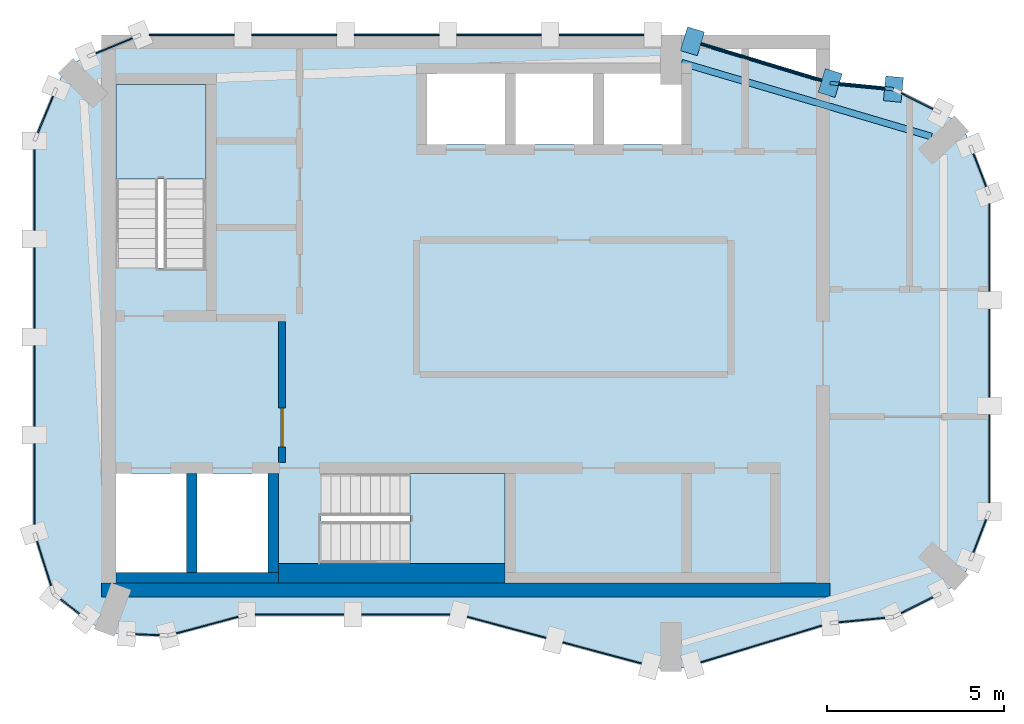
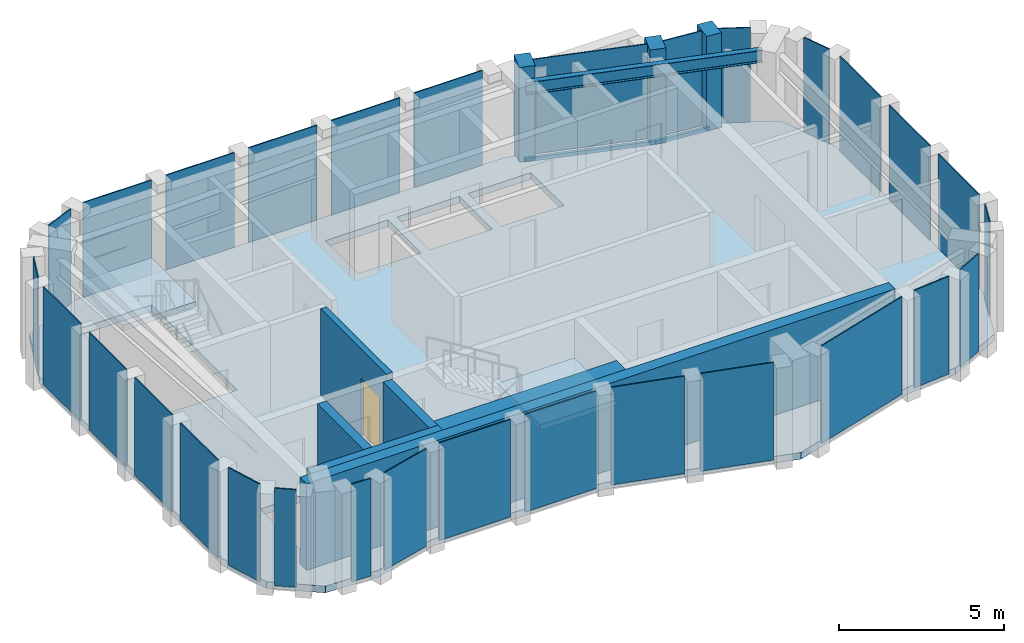
# One storey, part 2 of 5: 30 plates, 6 walls, 5 members, 3 slabs, 1 beam, 1 door, 1 opening, 21 elements without a shape of their own.
"""IFC4 building model written with IfcOpenShell, lengths in metres."""

from ifc_helpers import new_model, si_unit, direction, frame, frame_2d, origin, origin_2d, place, context, subcontext, project, spatial, polyline, rectangle, i_section, outline, extrude, material, layer, layer_set, material_profile, profile_set, type_object, element, fill, aggregate, save


model = new_model("IFC4")

# Units and contexts
model_context = context("Model", 3, precision=1e-05, world=origin(), true_north=direction((0.0, 1.0)))
body_context = subcontext(model_context, "Body", "Model", "MODEL_VIEW")
ifc_project = project(units=[si_unit("LENGTHUNIT", "METRE"), si_unit("AREAUNIT", "SQUARE_METRE"), si_unit("VOLUMEUNIT", "CUBIC_METRE"), si_unit("PLANEANGLEUNIT", "RADIAN"), si_unit("MASSUNIT", "GRAM", prefix="KILO")], contexts=[model_context])

# Site, building, storey
site_placement = place(None, origin())
site = spatial("IfcSite", under=ifc_project, at=site_placement, CompositionType="ELEMENT")
building_placement = place(site_placement, origin())
building = spatial("IfcBuilding", under=site, at=building_placement, Name="Plateau Cross Towers", CompositionType="ELEMENT")
storey_placement = place(building_placement, frame((0.0, 0.0, 308.89990234375)))
storey = spatial("IfcBuildingStorey", under=building, at=storey_placement, Name="L82 Crown 3", CompositionType="ELEMENT", Elevation=308.89990234375)

# Beam
ifc_material_1 = material(Name="Steel S355", Category="steel")
ifc_material_profile_1 = material_profile(ifc_material_1, i_section(OverallWidth=0.18994140625, OverallDepth=0.453369140625, WebThickness=0.008544921875, FlangeThickness=0.0126953125, FilletRadius=0.01025390625, at=origin_2d()), Name="UB 457x191x67")
ifc_profile_set_1 = profile_set([ifc_material_profile_1], Name="Steel S355")
beam_type = type_object("IfcBeamType", Name="Crown ring beam UB 457x191x67", PredefinedType="BEAM", material=ifc_profile_set_1)
beam_placement = place(storey_placement, frame((25.366455078125, 15.122314453125, 2.973388671875), z_axis=(-0.958969404993, 0.283509577064, 0.0), x_axis=(-0.283509577064, -0.958969404993, 0.0)))
element("IfcBeam", 1, at=beam_placement, inside=storey, type_object=beam_type, Name="CRB-L82 Crown 3-03", PredefinedType="BEAM", context=body_context, shape_type="SweptSolid", body=[
    extrude(i_section(OverallWidth=0.18994140625, OverallDepth=0.453369140625, WebThickness=0.008544921875, FlangeThickness=0.0126953125, FilletRadius=0.01025390625, at=origin_2d()), origin(), (0.0, 0.0, 1.0), 7.36865234375),
])

# Curtain wall, member
ifc_material_2 = material(Name="Dark low-iron glass", Category="glass")
ifc_layer_1 = layer(ifc_material_2, 0.800048828125)
ifc_layer_set_1 = layer_set([ifc_layer_1], Name="Dark low-iron glass")
curtain_wall_type = type_object("IfcCurtainWallType", Name="Curtain wall sky lounge CW-D", PredefinedType="NOTDEFINED", material=ifc_layer_set_1)
curtain_wall_1_placement = place(storey_placement, origin())
curtain_wall_1 = element("IfcCurtainWall", 2, at=curtain_wall_1_placement, inside=storey, type_object=curtain_wall_type, Name="ENV/A/L82 Crown 3/A243_165", PredefinedType="NOTDEFINED")
ifc_material_3 = material(Name="Black anodised aluminium", Category="aluminium")
ifc_material_profile_2 = material_profile(ifc_material_3, rectangle(XDim=0.5, YDim=0.699951171875, at=origin_2d()), Name="MULLION 500x700")
ifc_profile_set_2 = profile_set([ifc_material_profile_2], Name="Black anodised aluminium")
member_type_1 = type_object("IfcMemberType", Name="Mullion 500x700 sky lounge", PredefinedType="MULLION", material=ifc_profile_set_2)
member_1_placement = place(storey_placement, frame((24.289794921875, 16.463134765625, -0.25), z_axis=(0.0, 0.0, 1.0), x_axis=(-0.995322680406, 0.096606220658, 0.0)))
member_1 = element("IfcMember", 3, at=member_1_placement, type_object=member_type_1, Name="CW-D mullion 1", PredefinedType="MULLION", context=body_context, shape_type="SweptSolid", body=[
    extrude(rectangle(XDim=0.5, YDim=0.699951171875, at=origin_2d()), origin(), (0.0, 0.0, 1.0), 3.75),
])

# Curtain wall, members
curtain_wall_2_placement = place(storey_placement, origin())
curtain_wall_2 = element("IfcCurtainWall", 4, at=curtain_wall_2_placement, inside=storey, type_object=curtain_wall_type, Name="ENV/A/L82 Crown 3/A225_166", PredefinedType="NOTDEFINED")
member_2_placement = place(storey_placement, frame((22.5, 16.63671875, -0.25), z_axis=(0.0, 0.0, 1.0), x_axis=(-0.957048328724, 0.289928433386, 0.0)))
member_2 = element("IfcMember", 5, at=member_2_placement, type_object=member_type_1, Name="CW-D mullion 1", PredefinedType="MULLION", context=body_context, shape_type="SweptSolid", body=[
    extrude(rectangle(XDim=0.5, YDim=0.699951171875, at=origin_2d()), origin(), (0.0, 0.0, 1.0), 3.75),
])
member_3_placement = place(storey_placement, frame((18.60546875, 17.816650390625, -0.25), z_axis=(0.0, 0.0, 1.0), x_axis=(-0.957048328724, 0.289928433386, 0.0)))
member_3 = element("IfcMember", 6, at=member_3_placement, type_object=member_type_1, Name="CW-D mullion 2", PredefinedType="MULLION", context=body_context, shape_type="SweptSolid", body=[
    extrude(rectangle(XDim=0.5, YDim=0.699951171875, at=origin_2d()), origin(), (0.0, 0.0, 1.0), 3.75),
])

# Member
ifc_material_profile_3 = material_profile(ifc_material_3, rectangle(XDim=0.10009765625, YDim=0.139892578125, at=origin_2d()), Name="TRANSOM 100x140")
ifc_profile_set_3 = profile_set([ifc_material_profile_3], Name="Black anodised aluminium")
member_type_2 = type_object("IfcMemberType", Name="Transom 100x140 sky lounge", PredefinedType="USERDEFINED", material=ifc_profile_set_3)
member_4_placement = place(storey_placement, frame((24.289794921875, 16.463134765625, -0.179931640625), z_axis=(-0.995329836219, 0.096532466724, 0.0), x_axis=(-0.096532466724, -0.995329836219, 0.0)))
member_4 = element("IfcMember", 7, at=member_4_placement, type_object=member_type_2, Name="CW-D transom", ObjectType="TRANSOM", PredefinedType="USERDEFINED", context=body_context, shape_type="SweptSolid", body=[
    extrude(rectangle(XDim=0.10009765625, YDim=0.139892578125, at=origin_2d()), origin(), (0.0, 0.0, 1.0), 1.798095703125),
])

member_5_placement = place(storey_placement, frame((22.5, 16.63671875, -0.179931640625), z_axis=(-0.957040045132, 0.289955775961, 0.0), x_axis=(-0.289955775961, -0.957040045132, 0.0)))
member_5 = element("IfcMember", 8, at=member_5_placement, type_object=member_type_2, Name="CW-D transom", ObjectType="TRANSOM", PredefinedType="USERDEFINED", context=body_context, shape_type="SweptSolid", body=[
    extrude(rectangle(XDim=0.10009765625, YDim=0.139892578125, at=origin_2d()), origin(), (0.0, 0.0, 1.0), 4.0693359375),
])

# Curtain wall, plate
curtain_wall_3_placement = place(storey_placement, origin())
curtain_wall_3 = element("IfcCurtainWall", 9, at=curtain_wall_3_placement, inside=storey, type_object=curtain_wall_type, Name="ENV/A/L82 Crown 3/A38_10", PredefinedType="NOTDEFINED")
ifc_layer_2 = layer(ifc_material_2, 0.0400390625)
ifc_layer_set_2 = layer_set([ifc_layer_2], Name="Dark low-iron glass")
plate_type = type_object("IfcPlateType", Name="Glass panel 40 sky lounge", PredefinedType="CURTAIN_PANEL", material=ifc_layer_set_2)
plate_1_placement = place(storey_placement, frame((4.887939453125, 1.30908203125, -0.10986328125), z_axis=(0.0, 0.0, 1.0), x_axis=(0.965957962328, 0.258699081978, 0.0)))
plate_1 = element("IfcPlate", 10, at=plate_1_placement, type_object=plate_type, Name="CW-D panel 1", PredefinedType="CURTAIN_PANEL", context=body_context, shape_type="SweptSolid", body=[
    extrude(rectangle(XDim=1.80224609375, YDim=0.0400390625, at=origin_2d()), origin(), (0.0, 0.0, 1.0), 3.610107421875),
])
aggregate(curtain_wall_3, [plate_1])

# Curtain wall, plates
curtain_wall_4_placement = place(storey_placement, origin())
curtain_wall_4 = element("IfcCurtainWall", 11, at=curtain_wall_4_placement, inside=storey, type_object=curtain_wall_type, Name="ENV/A/L82 Crown 3/A60_16", PredefinedType="NOTDEFINED")
plate_2_placement = place(storey_placement, frame((7.5, 1.60693359375, -0.10986328125), z_axis=(0.0, 0.0, 1.0), x_axis=(1.0, 0.0, 0.0)))
plate_2 = element("IfcPlate", 12, at=plate_2_placement, type_object=plate_type, Name="CW-D panel 1", PredefinedType="CURTAIN_PANEL", context=body_context, shape_type="SweptSolid", body=[
    extrude(rectangle(XDim=2.5, YDim=0.0400390625, at=origin_2d()), origin(), (0.0, 0.0, 1.0), 3.610107421875),
])
plate_3_placement = place(storey_placement, frame((10.5, 1.60693359375, -0.10986328125), z_axis=(0.0, 0.0, 1.0), x_axis=(1.0, 0.0, 0.0)))
plate_3 = element("IfcPlate", 13, at=plate_3_placement, type_object=plate_type, Name="CW-D panel 2", PredefinedType="CURTAIN_PANEL", context=body_context, shape_type="SweptSolid", body=[
    extrude(rectangle(XDim=2.5, YDim=0.0400390625, at=origin_2d()), origin(), (0.0, 0.0, 1.0), 3.610107421875),
])
aggregate(curtain_wall_4, [plate_2, plate_3])

curtain_wall_5_placement = place(storey_placement, origin())
curtain_wall_5 = element("IfcCurtainWall", 14, at=curtain_wall_5_placement, inside=storey, type_object=curtain_wall_type, Name="ENV/A/L82 Crown 3/A120_16", PredefinedType="NOTDEFINED")
plate_4_placement = place(storey_placement, frame((13.350830078125, 1.2451171875, -0.10986328125), z_axis=(0.0, 0.0, 1.0), x_axis=(0.965957983404, -0.258699003279, 0.0)))
plate_4 = element("IfcPlate", 15, at=plate_4_placement, type_object=plate_type, Name="CW-D panel 1", PredefinedType="CURTAIN_PANEL", context=body_context, shape_type="SweptSolid", body=[
    extrude(rectangle(XDim=2.296875, YDim=0.0400390625, at=origin_2d()), origin(), (0.0, 0.0, 1.0), 3.610107421875),
])
plate_5_placement = place(storey_placement, frame((16.05224609375, 0.521728515625, -0.10986328125), z_axis=(0.0, 0.0, 1.0), x_axis=(0.965957983404, -0.258699003279, 0.0)))
plate_5 = element("IfcPlate", 16, at=plate_5_placement, type_object=plate_type, Name="CW-D panel 2", PredefinedType="CURTAIN_PANEL", context=body_context, shape_type="SweptSolid", body=[
    extrude(rectangle(XDim=2.296875, YDim=0.0400390625, at=origin_2d()), origin(), (0.0, 0.0, 1.0), 3.610107421875),
])
aggregate(curtain_wall_5, [plate_4, plate_5])

# Curtain wall, plate
curtain_wall_6_placement = place(storey_placement, origin())
curtain_wall_6 = element("IfcCurtainWall", 17, at=curtain_wall_6_placement, inside=storey, type_object=curtain_wall_type, Name="ENV/A/L82 Crown 3/A186_2", PredefinedType="NOTDEFINED")
plate_6_placement = place(storey_placement, frame((20.552734375, 0.7734375, -0.10986328125), z_axis=(0.0, 0.0, 1.0), x_axis=(0.957048328724, 0.289928433386, 0.0)))
plate_6 = element("IfcPlate", 18, at=plate_6_placement, type_object=plate_type, Name="CW-D panel 1", PredefinedType="CURTAIN_PANEL", context=body_context, shape_type="SweptSolid", body=[
    extrude(rectangle(XDim=3.5693359375, YDim=0.0400390625, at=origin_2d()), origin(), (0.0, 0.0, 1.0), 3.610107421875),
])
aggregate(curtain_wall_6, [plate_6])

curtain_wall_7_placement = place(storey_placement, origin())
curtain_wall_7 = element("IfcCurtainWall", 19, at=curtain_wall_7_placement, inside=storey, type_object=curtain_wall_type, Name="ENV/A/L82 Crown 3/A225_14", PredefinedType="NOTDEFINED")
plate_7_placement = place(storey_placement, frame((23.39501953125, 1.4501953125, -0.10986328125), z_axis=(0.0, 0.0, 1.0), x_axis=(0.995322680406, 0.096606220658, 0.0)))
plate_7 = element("IfcPlate", 20, at=plate_7_placement, type_object=plate_type, Name="CW-D panel 1", PredefinedType="CURTAIN_PANEL", context=body_context, shape_type="SweptSolid", body=[
    extrude(rectangle(XDim=1.29833984375, YDim=0.0400390625, at=origin_2d()), origin(), (0.0, 0.0, 1.0), 3.610107421875),
])
aggregate(curtain_wall_7, [plate_7])

curtain_wall_8_placement = place(storey_placement, origin())
curtain_wall_8 = element("IfcCurtainWall", 21, at=curtain_wall_8_placement, inside=storey, type_object=curtain_wall_type, Name="ENV/A/L82 Crown 3/A243_15", PredefinedType="NOTDEFINED")
plate_8_placement = place(storey_placement, frame((24.956787109375, 1.871826171875, -0.10986328125), z_axis=(0.0, 0.0, 1.0), x_axis=(0.893702121293, 0.448660805505, 0.0)))
plate_8 = element("IfcPlate", 22, at=plate_8_placement, type_object=plate_type, Name="CW-D panel 1", PredefinedType="CURTAIN_PANEL", context=body_context, shape_type="SweptSolid", body=[
    extrude(rectangle(XDim=0.992431640625, YDim=0.0400390625, at=origin_2d()), origin(), (0.0, 0.0, 1.0), 3.610107421875),
])
aggregate(curtain_wall_8, [plate_8])

curtain_wall_9_placement = place(storey_placement, origin())
curtain_wall_9 = element("IfcCurtainWall", 23, at=curtain_wall_9_placement, inside=storey, type_object=curtain_wall_type, Name="ENV/A/L82 Crown 3/A265_31", PredefinedType="NOTDEFINED")
plate_9_placement = place(storey_placement, frame((26.731201171875, 3.82666015625, -0.10986328125), z_axis=(0.0, 0.0, 1.0), x_axis=(0.360225826244, 0.932865131789, 0.0)))
plate_9 = element("IfcPlate", 24, at=plate_9_placement, type_object=plate_type, Name="CW-D panel 1", PredefinedType="CURTAIN_PANEL", context=body_context, shape_type="SweptSolid", body=[
    extrude(rectangle(XDim=0.992431640625, YDim=0.0400390625, at=origin_2d()), origin(), (0.0, 0.0, 1.0), 3.610107421875),
])
aggregate(curtain_wall_9, [plate_9])

# Curtain wall, plates
curtain_wall_10_placement = place(storey_placement, origin())
curtain_wall_10 = element("IfcCurtainWall", 25, at=curtain_wall_10_placement, inside=storey, type_object=curtain_wall_type, Name="ENV/A/L82 Crown 3/A270_45", PredefinedType="NOTDEFINED")
plate_10_placement = place(storey_placement, frame((27.0, 6.015380859375, -0.10986328125), z_axis=(0.0, 0.0, 1.0), x_axis=(0.0, 1.0, 0.0)))
plate_10 = element("IfcPlate", 26, at=plate_10_placement, type_object=plate_type, Name="CW-D panel 1", PredefinedType="CURTAIN_PANEL", context=body_context, shape_type="SweptSolid", body=[
    extrude(rectangle(XDim=2.484619140625, YDim=0.0400390625, at=origin_2d()), origin(), (0.0, 0.0, 1.0), 3.610107421875),
])
plate_11_placement = place(storey_placement, frame((27.0, 9.0, -0.10986328125), z_axis=(0.0, 0.0, 1.0), x_axis=(0.0, 1.0, 0.0)))
plate_11 = element("IfcPlate", 27, at=plate_11_placement, type_object=plate_type, Name="CW-D panel 2", PredefinedType="CURTAIN_PANEL", context=body_context, shape_type="SweptSolid", body=[
    extrude(rectangle(XDim=2.484619140625, YDim=0.0400390625, at=origin_2d()), origin(), (0.0, 0.0, 1.0), 3.610107421875),
])
plate_12_placement = place(storey_placement, frame((27.0, 11.984619140625, -0.10986328125), z_axis=(0.0, 0.0, 1.0), x_axis=(0.0, 1.0, 0.0)))
plate_12 = element("IfcPlate", 28, at=plate_12_placement, type_object=plate_type, Name="CW-D panel 3", PredefinedType="CURTAIN_PANEL", context=body_context, shape_type="SweptSolid", body=[
    extrude(rectangle(XDim=2.484619140625, YDim=0.0400390625, at=origin_2d()), origin(), (0.0, 0.0, 1.0), 3.610107421875),
])
aggregate(curtain_wall_10, [plate_10, plate_11, plate_12])

# Curtain wall, plate
curtain_wall_11_placement = place(storey_placement, origin())
curtain_wall_11 = element("IfcCurtainWall", 29, at=curtain_wall_11_placement, inside=storey, type_object=curtain_wall_type, Name="ENV/A/L82 Crown 3/A270_135", PredefinedType="NOTDEFINED")
plate_13_placement = place(storey_placement, frame((26.731201171875, 14.17333984375, -0.10986328125), z_axis=(0.0, 0.0, 1.0), x_axis=(-0.360225826244, 0.932865131789, 0.0)))
plate_13 = element("IfcPlate", 30, at=plate_13_placement, type_object=plate_type, Name="CW-D panel 1", PredefinedType="CURTAIN_PANEL", context=body_context, shape_type="SweptSolid", body=[
    extrude(rectangle(XDim=0.992431640625, YDim=0.0400390625, at=origin_2d()), origin(), (0.0, 0.0, 1.0), 3.610107421875),
])
aggregate(curtain_wall_11, [plate_13])

curtain_wall_12_placement = place(storey_placement, origin())
curtain_wall_12 = element("IfcCurtainWall", 31, at=curtain_wall_12_placement, inside=storey, type_object=curtain_wall_type, Name="ENV/A/L82 Crown 3/A256_158", PredefinedType="NOTDEFINED")
plate_14_placement = place(storey_placement, frame((24.956787109375, 16.128173828125, -0.10986328125), z_axis=(0.0, 0.0, 1.0), x_axis=(-0.893702121293, 0.448660805505, 0.0)))
plate_14 = element("IfcPlate", 32, at=plate_14_placement, type_object=plate_type, Name="CW-D panel 1", PredefinedType="CURTAIN_PANEL", context=body_context, shape_type="SweptSolid", body=[
    extrude(rectangle(XDim=0.992431640625, YDim=0.0400390625, at=origin_2d()), origin(), (0.0, 0.0, 1.0), 3.610107421875),
])
aggregate(curtain_wall_12, [plate_14])

# Plate
plate_15_placement = place(storey_placement, frame((23.39501953125, 16.5498046875, -0.10986328125), z_axis=(0.0, 0.0, 1.0), x_axis=(-0.995322680406, 0.096606220658, 0.0)))
plate_15 = element("IfcPlate", 33, at=plate_15_placement, type_object=plate_type, Name="CW-D panel 1", PredefinedType="CURTAIN_PANEL", context=body_context, shape_type="SweptSolid", body=[
    extrude(rectangle(XDim=1.29833984375, YDim=0.0400390625, at=origin_2d()), origin(), (0.0, 0.0, 1.0), 3.610107421875),
])

aggregate(curtain_wall_1, [member_1, member_4, plate_15])

plate_16_placement = place(storey_placement, frame((20.552734375, 17.2265625, -0.10986328125), z_axis=(0.0, 0.0, 1.0), x_axis=(-0.957048328724, 0.289928433386, 0.0)))
plate_16 = element("IfcPlate", 34, at=plate_16_placement, type_object=plate_type, Name="CW-D panel 1", PredefinedType="CURTAIN_PANEL", context=body_context, shape_type="SweptSolid", body=[
    extrude(rectangle(XDim=3.5693359375, YDim=0.0400390625, at=origin_2d()), origin(), (0.0, 0.0, 1.0), 3.610107421875),
])

aggregate(curtain_wall_2, [member_2, member_3, member_5, plate_16])

# Curtain wall, plates
curtain_wall_13_placement = place(storey_placement, origin())
curtain_wall_13 = element("IfcCurtainWall", 35, at=curtain_wall_13_placement, inside=storey, type_object=curtain_wall_type, Name="ENV/A/L82 Crown 3/A175_180", PredefinedType="NOTDEFINED")
plate_17_placement = place(storey_placement, frame((16.03662109375, 18.0, -0.10986328125), z_axis=(0.0, 0.0, 1.0), x_axis=(-1.0, 0.0, 0.0)))
plate_17 = element("IfcPlate", 36, at=plate_17_placement, type_object=plate_type, Name="CW-D panel 1", PredefinedType="CURTAIN_PANEL", context=body_context, shape_type="SweptSolid", body=[
    extrude(rectangle(XDim=2.39697265625, YDim=0.0400390625, at=origin_2d()), origin(), (0.0, 0.0, 1.0), 3.610107421875),
])
plate_18_placement = place(storey_placement, frame((13.139404296875, 18.0, -0.10986328125), z_axis=(0.0, 0.0, 1.0), x_axis=(-1.0, 0.0, 0.0)))
plate_18 = element("IfcPlate", 37, at=plate_18_placement, type_object=plate_type, Name="CW-D panel 2", PredefinedType="CURTAIN_PANEL", context=body_context, shape_type="SweptSolid", body=[
    extrude(rectangle(XDim=2.39697265625, YDim=0.0400390625, at=origin_2d()), origin(), (0.0, 0.0, 1.0), 3.610107421875),
])
plate_19_placement = place(storey_placement, frame((10.242431640625, 18.0, -0.10986328125), z_axis=(0.0, 0.0, 1.0), x_axis=(-1.0, 0.0, 0.0)))
plate_19 = element("IfcPlate", 38, at=plate_19_placement, type_object=plate_type, Name="CW-D panel 3", PredefinedType="CURTAIN_PANEL", context=body_context, shape_type="SweptSolid", body=[
    extrude(rectangle(XDim=2.39697265625, YDim=0.0400390625, at=origin_2d()), origin(), (0.0, 0.0, 1.0), 3.610107421875),
])
plate_20_placement = place(storey_placement, frame((7.345458984375, 18.0, -0.10986328125), z_axis=(0.0, 0.0, 1.0), x_axis=(-1.0, 0.0, 0.0)))
plate_20 = element("IfcPlate", 39, at=plate_20_placement, type_object=plate_type, Name="CW-D panel 4", PredefinedType="CURTAIN_PANEL", context=body_context, shape_type="SweptSolid", body=[
    extrude(rectangle(XDim=2.39697265625, YDim=0.0400390625, at=origin_2d()), origin(), (0.0, 0.0, 1.0), 3.610107421875),
])
plate_21_placement = place(storey_placement, frame((4.448486328125, 18.0, -0.10986328125), z_axis=(0.0, 0.0, 1.0), x_axis=(-1.0, 0.0, 0.0)))
plate_21 = element("IfcPlate", 40, at=plate_21_placement, type_object=plate_type, Name="CW-D panel 5", PredefinedType="CURTAIN_PANEL", context=body_context, shape_type="SweptSolid", body=[
    extrude(rectangle(XDim=2.39697265625, YDim=0.0400390625, at=origin_2d()), origin(), (0.0, 0.0, 1.0), 3.610107421875),
])
aggregate(curtain_wall_13, [plate_17, plate_18, plate_19, plate_20, plate_21])

# Curtain wall, plate
curtain_wall_14_placement = place(storey_placement, origin())
curtain_wall_14 = element("IfcCurtainWall", 41, at=curtain_wall_14_placement, inside=storey, type_object=curtain_wall_type, Name="ENV/A/L82 Crown 3/A30_180", PredefinedType="NOTDEFINED")
plate_22_placement = place(storey_placement, frame((2.254150390625, 17.69091796875, -0.10986328125), z_axis=(0.0, 0.0, 1.0), x_axis=(-0.923879457699, -0.382683612978, 0.0)))
plate_22 = element("IfcPlate", 42, at=plate_22_placement, type_object=plate_type, Name="CW-D panel 1", PredefinedType="CURTAIN_PANEL", context=body_context, shape_type="SweptSolid", body=[
    extrude(rectangle(XDim=1.11474609375, YDim=0.0400390625, at=origin_2d()), origin(), (0.0, 0.0, 1.0), 3.610107421875),
])
aggregate(curtain_wall_14, [plate_22])

curtain_wall_15_placement = place(storey_placement, origin())
curtain_wall_15 = element("IfcCurtainWall", 43, at=curtain_wall_15_placement, inside=storey, type_object=curtain_wall_type, Name="ENV/A/L82 Crown 3/A6_165", PredefinedType="NOTDEFINED")
plate_23_placement = place(storey_placement, frame((0.30908203125, 15.745849609375, -0.10986328125), z_axis=(0.0, 0.0, 1.0), x_axis=(-0.382683612978, -0.923879457699, 0.0)))
plate_23 = element("IfcPlate", 44, at=plate_23_placement, type_object=plate_type, Name="CW-D panel 1", PredefinedType="CURTAIN_PANEL", context=body_context, shape_type="SweptSolid", body=[
    extrude(rectangle(XDim=1.11474609375, YDim=0.0400390625, at=origin_2d()), origin(), (0.0, 0.0, 1.0), 3.610107421875),
])
aggregate(curtain_wall_15, [plate_23])

# Curtain wall, plates
curtain_wall_16_placement = place(storey_placement, origin())
curtain_wall_16 = element("IfcCurtainWall", 45, at=curtain_wall_16_placement, inside=storey, type_object=curtain_wall_type, Name="ENV/A/L82 Crown 3/A0_150", PredefinedType="NOTDEFINED")
plate_24_placement = place(storey_placement, frame((0.0, 13.613525390625, -0.10986328125), z_axis=(0.0, 0.0, 1.0), x_axis=(0.0, -1.0, 0.0)))
plate_24 = element("IfcPlate", 46, at=plate_24_placement, type_object=plate_type, Name="CW-D panel 1", PredefinedType="CURTAIN_PANEL", context=body_context, shape_type="SweptSolid", body=[
    extrude(rectangle(XDim=2.272705078125, YDim=0.0400390625, at=origin_2d()), origin(), (0.0, 0.0, 1.0), 3.610107421875),
])
plate_25_placement = place(storey_placement, frame((0.0, 10.8408203125, -0.10986328125), z_axis=(0.0, 0.0, 1.0), x_axis=(0.0, -1.0, 0.0)))
plate_25 = element("IfcPlate", 47, at=plate_25_placement, type_object=plate_type, Name="CW-D panel 2", PredefinedType="CURTAIN_PANEL", context=body_context, shape_type="SweptSolid", body=[
    extrude(rectangle(XDim=2.272705078125, YDim=0.0400390625, at=origin_2d()), origin(), (0.0, 0.0, 1.0), 3.610107421875),
])
plate_26_placement = place(storey_placement, frame((0.0, 8.068115234375, -0.10986328125), z_axis=(0.0, 0.0, 1.0), x_axis=(0.0, -1.0, 0.0)))
plate_26 = element("IfcPlate", 48, at=plate_26_placement, type_object=plate_type, Name="CW-D panel 3", PredefinedType="CURTAIN_PANEL", context=body_context, shape_type="SweptSolid", body=[
    extrude(rectangle(XDim=2.272705078125, YDim=0.0400390625, at=origin_2d()), origin(), (0.0, 0.0, 1.0), 3.610107421875),
])
plate_27_placement = place(storey_placement, frame((0.0, 5.29541015625, -0.10986328125), z_axis=(0.0, 0.0, 1.0), x_axis=(0.0, -1.0, 0.0)))
plate_27 = element("IfcPlate", 49, at=plate_27_placement, type_object=plate_type, Name="CW-D panel 4", PredefinedType="CURTAIN_PANEL", context=body_context, shape_type="SweptSolid", body=[
    extrude(rectangle(XDim=2.272705078125, YDim=0.0400390625, at=origin_2d()), origin(), (0.0, 0.0, 1.0), 3.610107421875),
])
aggregate(curtain_wall_16, [plate_24, plate_25, plate_26, plate_27])

# Curtain wall, plate
curtain_wall_17_placement = place(storey_placement, origin())
curtain_wall_17 = element("IfcCurtainWall", 50, at=curtain_wall_17_placement, inside=storey, type_object=curtain_wall_type, Name="ENV/A/L82 Crown 3/A0_39", PredefinedType="NOTDEFINED")
plate_28_placement = place(storey_placement, frame((0.271240234375, 3.048828125, -0.10986328125), z_axis=(0.0, 0.0, 1.0), x_axis=(0.300686174994, -0.95372313811, 0.0)))
plate_28 = element("IfcPlate", 51, at=plate_28_placement, type_object=plate_type, Name="CW-D panel 1", PredefinedType="CURTAIN_PANEL", context=body_context, shape_type="SweptSolid", body=[
    extrude(rectangle(XDim=1.30419921875, YDim=0.0400390625, at=origin_2d()), origin(), (0.0, 0.0, 1.0), 3.610107421875),
])
aggregate(curtain_wall_17, [plate_28])

curtain_wall_18_placement = place(storey_placement, origin())
curtain_wall_18 = element("IfcCurtainWall", 52, at=curtain_wall_18_placement, inside=storey, type_object=curtain_wall_type, Name="ENV/A/L82 Crown 3/A5_22", PredefinedType="NOTDEFINED")
plate_29_placement = place(storey_placement, frame((1.005126953125, 1.83349609375, -0.10986328125), z_axis=(0.0, 0.0, 1.0), x_axis=(0.793315514529, -0.608810721331, 0.0)))
plate_29 = element("IfcPlate", 53, at=plate_29_placement, type_object=plate_type, Name="CW-D panel 1", PredefinedType="CURTAIN_PANEL", context=body_context, shape_type="SweptSolid", body=[
    extrude(rectangle(XDim=0.666259765625, YDim=0.0400390625, at=origin_2d()), origin(), (0.0, 0.0, 1.0), 3.610107421875),
])
aggregate(curtain_wall_18, [plate_29])

curtain_wall_19_placement = place(storey_placement, origin())
curtain_wall_19 = element("IfcCurtainWall", 54, at=curtain_wall_19_placement, inside=storey, type_object=curtain_wall_type, Name="ENV/A/L82 Crown 3/A26_11", PredefinedType="NOTDEFINED")
plate_30_placement = place(storey_placement, frame((3.193603515625, 1.036865234375, -0.10986328125), z_axis=(0.0, 0.0, 1.0), x_axis=(0.999043701491, -0.043722791671, 0.0)))
plate_30 = element("IfcPlate", 55, at=plate_30_placement, type_object=plate_type, Name="CW-D panel 1", PredefinedType="CURTAIN_PANEL", context=body_context, shape_type="SweptSolid", body=[
    extrude(rectangle(XDim=0.666259765625, YDim=0.0400390625, at=origin_2d()), origin(), (0.0, 0.0, 1.0), 3.610107421875),
])
aggregate(curtain_wall_19, [plate_30])

# Slab
ifc_material_4 = material(Name="Concrete C40/50", Category="concrete")
ifc_layer_3 = layer(ifc_material_4, 0.25)
ifc_layer_set_3 = layer_set([ifc_layer_3], Name="Concrete C40/50")
slab_type_1 = type_object("IfcSlabType", Name="Post-tensioned flat plate slab 250", PredefinedType="FLOOR", material=ifc_layer_set_3)
slab_1_placement = place(storey_placement, frame((0.0, 0.0, -0.25)))
element("IfcSlab", 56, at=slab_1_placement, inside=storey, type_object=slab_type_1, Name="SL-A-L82 Crown 3", PredefinedType="FLOOR", context=body_context, shape_type="SweptSolid", body=[
    extrude(outline(polyline([(1.9736328125, 1.090087890625), (0.54248046875, 2.1884765625), (0.0, 3.9091796875), (0.0, 15.0), (0.878662109375, 17.121337890625), (3.0, 18.0), (18.0, 18.0), (22.5, 16.63671875), (24.289794921875, 16.463134765625), (26.221435546875, 15.493408203125), (27.0, 13.47705078125), (27.0, 4.52294921875), (26.221435546875, 2.506591796875), (24.289794921875, 1.536865234375), (22.5, 1.36328125), (18.0, 0.0), (12.0, 1.60693359375), (6.0, 1.60693359375), (3.776123046875, 1.01123046875), (1.9736328125, 1.090087890625)]), holes=[polyline([(2.300048828125, 5.60009765625), (2.300048828125, 2.800048828125), (4.300048828125, 2.800048828125), (4.300048828125, 5.60009765625), (2.300048828125, 5.60009765625)]), polyline([(6.60009765625, 5.60009765625), (4.60009765625, 5.60009765625), (4.60009765625, 2.800048828125), (6.60009765625, 2.800048828125), (6.60009765625, 5.60009765625)]), polyline([(13.300048828125, 5.60009765625), (8.10009765625, 5.60009765625), (8.10009765625, 3.050048828125), (13.300048828125, 3.050048828125), (13.300048828125, 5.60009765625)]), polyline([(2.300048828125, 16.60009765625), (2.300048828125, 11.39990234375), (4.85009765625, 11.39990234375), (4.85009765625, 16.60009765625), (2.300048828125, 16.60009765625)]), polyline([(13.300048828125, 16.89990234375), (11.10009765625, 16.89990234375), (11.10009765625, 14.89990234375), (13.300048828125, 14.89990234375), (13.300048828125, 16.89990234375)]), polyline([(15.800048828125, 16.89990234375), (13.60009765625, 16.89990234375), (13.60009765625, 14.89990234375), (15.800048828125, 14.89990234375), (15.800048828125, 16.89990234375)]), polyline([(18.300048828125, 16.89990234375), (16.10009765625, 16.89990234375), (16.10009765625, 14.89990234375), (18.300048828125, 14.89990234375), (18.300048828125, 16.89990234375)])]), origin(), (0.0, 0.0, 1.0), 0.25),
])

# Stair, slab
stair_type = type_object("IfcStairType", Name="ST-TWR", PredefinedType="HALF_TURN_STAIR", material=ifc_material_4)
stair_1_placement = place(storey_placement, origin())
stair_1 = element("IfcStair", 57, at=stair_1_placement, inside=storey, type_object=stair_type, Name="L82 Crown 3 Protected Exit Stair ST-1", PredefinedType="HALF_TURN_STAIR")
ifc_layer_4 = layer(ifc_material_4, 0.199951171875)
ifc_layer_set_4 = layer_set([ifc_layer_4], Name="Concrete C40/50")
slab_type_2 = type_object("IfcSlabType", Name="SL-LANDING", PredefinedType="LANDING", material=ifc_layer_set_4)
slab_2_placement = place(storey_placement, frame((0.0, 0.0, 1.550048828125)))
slab_2 = element("IfcSlab", 58, at=slab_2_placement, type_object=slab_type_2, Name="ST-1 landing 1", PredefinedType="LANDING", context=body_context, shape_type="SweptSolid", body=[
    extrude(outline(polyline([(4.85009765625, 13.919921875), (4.85009765625, 16.60009765625), (2.300048828125, 16.60009765625), (2.300048828125, 13.919921875), (4.85009765625, 13.919921875)])), origin(), (0.0, 0.0, 1.0), 0.199951171875),
])
aggregate(stair_1, [slab_2])

stair_2_placement = place(storey_placement, origin())
stair_2 = element("IfcStair", 59, at=stair_2_placement, inside=storey, type_object=stair_type, Name="L82 Crown 3 Protected Exit Stair ST-2", PredefinedType="HALF_TURN_STAIR")
slab_3_placement = place(storey_placement, frame((0.0, 0.0, 1.550048828125)))
slab_3 = element("IfcSlab", 60, at=slab_3_placement, type_object=slab_type_2, Name="ST-2 landing 1", PredefinedType="LANDING", context=body_context, shape_type="SweptSolid", body=[
    extrude(outline(polyline([(10.6201171875, 3.050048828125), (13.300048828125, 3.050048828125), (13.300048828125, 5.60009765625), (10.6201171875, 5.60009765625), (10.6201171875, 3.050048828125)])), origin(), (0.0, 0.0, 1.0), 0.199951171875),
])
aggregate(stair_2, [slab_3])

# Wall, opening, door
ifc_material_5 = material(Name="Concrete block, plastered both sides", Category="concrete")
ifc_layer_5 = layer(ifc_material_5, 0.199951171875)
ifc_layer_set_5 = layer_set([ifc_layer_5], Name="Concrete block, plastered both sides")
wall_type_1 = type_object("IfcWallType", Name="Core partition 200", PredefinedType="PARTITIONING", material=ifc_layer_set_5)
wall_1_placement = place(storey_placement, frame((7.0, 5.89990234375, 0.0), z_axis=(0.0, 0.0, 1.0), x_axis=(0.0, 1.0, 0.0)))
wall_1 = element("IfcWall", 61, at=wall_1_placement, inside=storey, type_object=wall_type_1, Name="Core partition", PredefinedType="PARTITIONING", context=body_context, shape_type="SweptSolid", body=[
    extrude(rectangle(XDim=4.0, YDim=0.199951171875, at=frame_2d((2.0, 0.0))), origin(), (0.0, 0.0, 1.0), 3.2001953125),
])
opening_placement = place(wall_1_placement, frame((0.449951171875, 0.0, 0.0)))
opening = element("IfcOpeningElement", 62, at=opening_placement, cuts=wall_1, Name="Opening FFD", PredefinedType="OPENING", context=body_context, shape_type="SweptSolid", body=[
    extrude(rectangle(XDim=1.10009765625, YDim=2.10009765625, at=frame_2d((0.550048828125, 1.050048828125))), frame((0.0, 0.10986328125, 0.0), z_axis=(0.0, -1.0, 0.0), x_axis=(1.0, 0.0, 0.0)), (0.0, 0.0, 1.0), 0.219970703125),
])
ifc_material_6 = material(Name="Steel, fire-resisting leaf", Category="steel")
door_type = type_object("IfcDoorType", Name="Firefighting lobby door 1100", OperationType="NOTDEFINED", PredefinedType="DOOR", material=ifc_material_6)
door_placement = place(opening_placement, origin())
door = element("IfcDoor", 63, at=door_placement, inside=storey, type_object=door_type, Name="Firefighting lobby door FFD", OperationType="SINGLE_SWING_LEFT", OverallHeight=2.10009765625, OverallWidth=1.10009765625, PredefinedType="DOOR", context=body_context, shape_type="SweptSolid", body=[
    extrude(rectangle(XDim=1.10009765625, YDim=2.10009765625, at=frame_2d((0.550048828125, 1.050048828125))), frame((0.0, 0.02490234375, 0.0), z_axis=(0.0, -1.0, 0.0), x_axis=(1.0, 0.0, 0.0)), (0.0, 0.0, 1.0), 0.050048828125),
])
fill(opening, door)

# Walls
ifc_material_7 = material(Name="Concrete C60/75", Category="concrete")
ifc_layer_6 = layer(ifc_material_7, 0.300048828125)
ifc_layer_set_6 = layer_set([ifc_layer_6], Name="Concrete C60/75")
wall_type_2 = type_object("IfcWallType", Name="Core shaft wall 300", PredefinedType="SHEAR", material=ifc_layer_set_6)
wall_2_placement = place(storey_placement, frame((2.300048828125, 2.64990234375, 0.0), z_axis=(0.0, 0.0, 1.0), x_axis=(1.0, 0.0, 0.0)))
element("IfcWall", 64, at=wall_2_placement, inside=storey, type_object=wall_type_2, Name="A-sb-back1@L82 Crown 3", PredefinedType="SHEAR", context=body_context, shape_type="SweptSolid", body=[
    extrude(rectangle(XDim=4.599853515625, YDim=0.300048828125, at=frame_2d((2.2998046875, 0.0))), origin(), (0.0, 0.0, 1.0), 3.2001953125),
])
for number, where, z_axis, x_axis, name in (
    (65, (4.449951171875, 2.800048828125, 0.0), (0.0, 0.0, 1.0), (0.0, 1.0, 0.0), "A-sb-v1@L82 Crown 3"),
    (66, (6.75, 2.800048828125, 0.0), (0.0, 0.0, 1.0), (0.0, 1.0, 0.0), "A-sb-v2@L82 Crown 3"),
):
    element("IfcWall", number, at=place(storey_placement, frame(where, z_axis=z_axis, x_axis=x_axis)), inside=storey, type_object=wall_type_2, Name=name, PredefinedType="SHEAR", context=body_context, shape_type="SweptSolid", body=[
        extrude(rectangle(XDim=2.800048828125, YDim=0.300048828125, at=frame_2d((1.39990234375, 0.0))), origin(), (0.0, 0.0, 1.0), 3.2001953125),
    ])
ifc_layer_7 = layer(ifc_material_7, 0.550048828125)
ifc_layer_set_7 = layer_set([ifc_layer_7], Name="Concrete C60/75")
wall_type_3 = type_object("IfcWallType", Name="Core shaft wall 550", PredefinedType="SHEAR", material=ifc_layer_set_7)
wall_3_placement = place(storey_placement, frame((6.89990234375, 2.77490234375, 0.0), z_axis=(0.0, 0.0, 1.0), x_axis=(1.0, 0.0, 0.0)))
element("IfcWall", 67, at=wall_3_placement, inside=storey, type_object=wall_type_3, Name="A-sb-back2@L82 Crown 3", PredefinedType="SHEAR", context=body_context, shape_type="SweptSolid", body=[
    extrude(rectangle(XDim=6.400146484375, YDim=0.550048828125, at=frame_2d((3.2001953125, 0.0))), origin(), (0.0, 0.0, 1.0), 3.2001953125),
])
ifc_layer_8 = layer(ifc_material_7, 0.39990234375)
ifc_layer_set_8 = layer_set([ifc_layer_8], Name="Concrete C60/75")
wall_type_4 = type_object("IfcWallType", Name="Core shell wall 400", PredefinedType="SHEAR", material=ifc_layer_set_8)
wall_4_placement = place(storey_placement, frame((1.89990234375, 2.300048828125, 0.0), z_axis=(0.0, 0.0, 1.0), x_axis=(1.0, 0.0, 0.0)))
element("IfcWall", 68, at=wall_4_placement, inside=storey, type_object=wall_type_4, Name="A-core-S@L82 Crown 3", PredefinedType="SHEAR", context=body_context, shape_type="SweptSolid", body=[
    extrude(rectangle(XDim=20.60009765625, YDim=0.39990234375, at=frame_2d((10.300048828125, 0.0))), origin(), (0.0, 0.0, 1.0), 3.2001953125),
])

save(model, "model.ifc")
